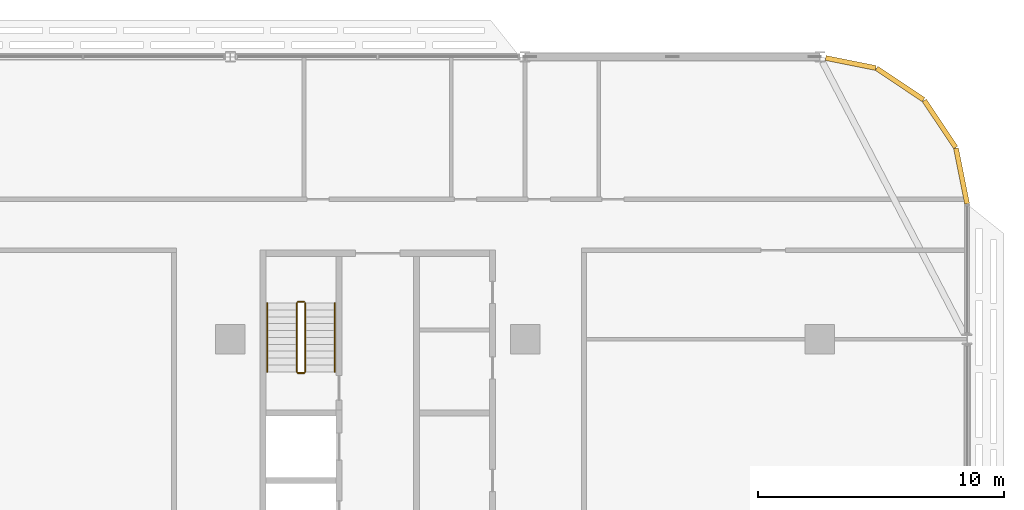
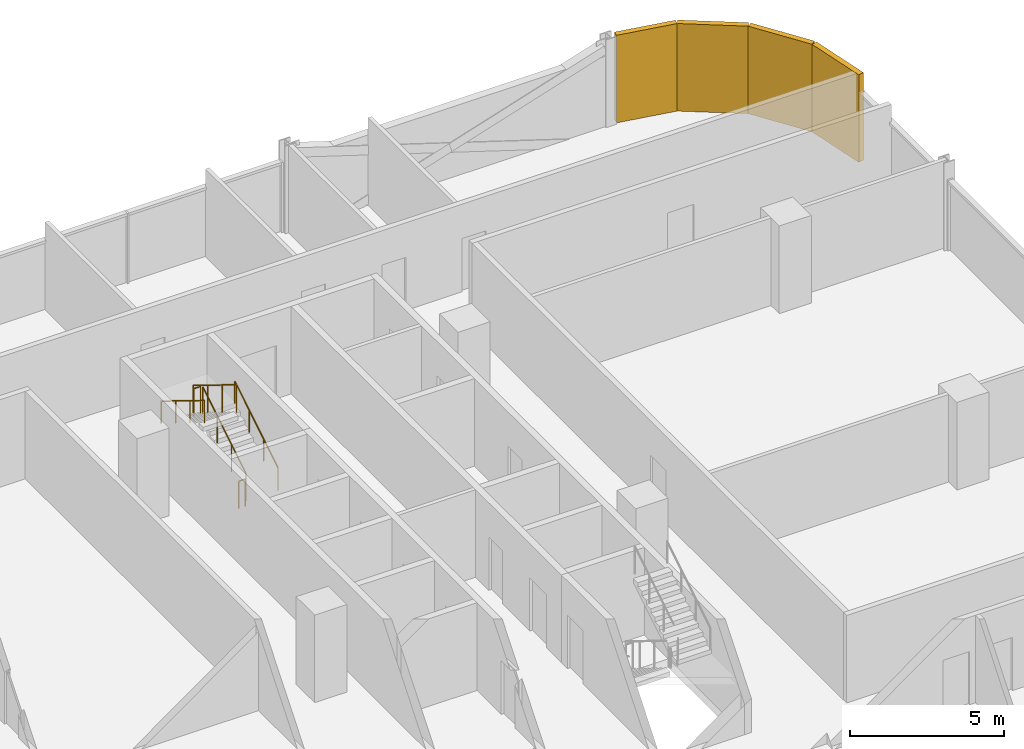
# One storey, part 27 of 27: 6 railings, 4 coverings.
"""IFC4 building model written with IfcOpenShell, lengths in metres."""

from ifc_helpers import new_model, si_unit, direction, frame, origin, origin_2d, place, context, subcontext, project, spatial, rectangle, circle, extrude, material, layer, layer_set, type_object, element, save


model = new_model("IFC4")

# Units and contexts
model_context = context("Model", 3, precision=1e-05, world=origin(), true_north=direction((0.0, 1.0)))
body_context = subcontext(model_context, "Body", "Model", "MODEL_VIEW")
ifc_project = project(units=[si_unit("LENGTHUNIT", "METRE"), si_unit("AREAUNIT", "SQUARE_METRE"), si_unit("VOLUMEUNIT", "CUBIC_METRE"), si_unit("PLANEANGLEUNIT", "RADIAN"), si_unit("MASSUNIT", "GRAM", prefix="KILO")], contexts=[model_context])

# Site, building, storey
site_placement = place(None, origin())
site = spatial("IfcSite", under=ifc_project, at=site_placement, CompositionType="ELEMENT")
building_placement = place(site_placement, origin())
building = spatial("IfcBuilding", under=site, at=building_placement, Name="Mahtab Terrace Research Tower", CompositionType="ELEMENT")
storey_placement = place(building_placement, frame((0.0, 0.0, 178.199951171875)))
storey = spatial("IfcBuildingStorey", under=building, at=storey_placement, Name="L42", CompositionType="ELEMENT", Elevation=178.199951171875)

# Coverings
ifc_material_1 = material(Name="Black aluminium cladding panel", Category="aluminium")
ifc_layer = layer(ifc_material_1, 0.199951171875)
ifc_layer_set = layer_set([ifc_layer], Name="Black metal corner cladding 200")
covering_type = type_object("IfcCoveringType", Name="Black metal corner cladding 200", PredefinedType="CLADDING", material=ifc_layer_set)
for number, where, z_axis, x_axis, name in (
    (1, (46.89306640625, 20.26953125, 0.0), (0.0, 0.0, 1.0), (-0.555291490808, 0.831655794326, 0.0), "Corner cladding L42 0"),
    (2, (45.26953125, 21.89306640625, 0.0), (0.0, 0.0, 1.0), (-0.831655794326, 0.555291490808, 0.0), "Corner cladding L42 1"),
):
    element("IfcCovering", number, at=place(storey_placement, frame(where, z_axis=z_axis, x_axis=x_axis)), inside=storey, type_object=covering_type, Name=name, PredefinedType="CLADDING", context=body_context, shape_type="SweptSolid", body=[
        extrude(rectangle(XDim=2.30126953125, YDim=0.199951171875, at=origin_2d()), origin(), (0.0, 0.0, 1.0), 3.4599609375),
    ])
covering_1_placement = place(storey_placement, frame((43.25830078125, 22.74951171875, 0.0), z_axis=(0.0, 0.0, 1.0), x_axis=(-0.980760981187, 0.195212442692, 0.0)))
element("IfcCovering", 3, at=covering_1_placement, inside=storey, type_object=covering_type, Name="Corner cladding L42 2", PredefinedType="CLADDING", context=body_context, shape_type="SweptSolid", body=[
    extrude(rectangle(XDim=2.07666015625, YDim=0.199951171875, at=origin_2d()), origin(), (0.0, 0.0, 1.0), 3.4599609375),
])
covering_2_placement = place(storey_placement, frame((47.771484375, 18.14794921875, 0.0), z_axis=(0.0, 0.0, 1.0), x_axis=(-0.195212442692, 0.980760981187, 0.0)))
element("IfcCovering", 4, at=covering_2_placement, inside=storey, type_object=covering_type, Name="Corner cladding L42 38", PredefinedType="CLADDING", context=body_context, shape_type="SweptSolid", body=[
    extrude(rectangle(XDim=2.30126953125, YDim=0.199951171875, at=origin_2d()), origin(), (0.0, 0.0, 1.0), 3.4599609375),
])

# Railings
ifc_material_2 = material(Name="Stainless steel AISI 304", Category="steel")
railing_type_1 = type_object("IfcRailingType", Name="Stair guard 1100", PredefinedType="GUARDRAIL", material=ifc_material_2)
railing_1_placement = place(storey_placement, frame((21.050048828125, 10.175048828125, 0.1728515625)))
element("IfcRailing", 5, at=railing_1_placement, inside=storey, type_object=railing_type_1, Name="L42 ST3 stair guard 1", PredefinedType="GUARDRAIL", context=body_context, shape_type="SweptSolid", body=[
    extrude(circle(Radius=0.02392578125, at=origin_2d()), frame((0.0, 0.0, 1.076171875), z_axis=(0.0, 0.851089632645, 0.525020415988), x_axis=(-1.0, 0.0, 0.0)), (0.0, 0.0, 1.0), 3.2900390625),
    extrude(circle(Radius=0.02099609375, at=origin_2d()), origin(), (0.0, 0.0, 1.0), 1.052001953125),
    extrude(circle(Radius=0.02099609375, at=origin_2d()), frame((0.0, 0.933349609375, 0.57568359375)), (0.0, 0.0, 1.0), 1.052001953125),
    extrude(circle(Radius=0.02099609375, at=origin_2d()), frame((0.0, 1.86669921875, 1.151611328125)), (0.0, 0.0, 1.0), 1.052001953125),
    extrude(circle(Radius=0.02099609375, at=origin_2d()), frame((0.0, 2.800048828125, 1.727294921875)), (0.0, 0.0, 1.0), 1.052001953125),
])
railing_2_placement = place(storey_placement, frame((21.0, 13.02490234375, 1.900146484375)))
element("IfcRailing", 6, at=railing_2_placement, inside=storey, type_object=railing_type_1, Name="L42 ST3 stair guard 2", PredefinedType="GUARDRAIL", context=body_context, shape_type="SweptSolid", body=[
    extrude(circle(Radius=0.02392578125, at=origin_2d()), frame((0.0, 0.0, 1.076171875), z_axis=(-1.0, 0.0, 0.0), x_axis=(0.0, -1.0, 0.0)), (0.0, 0.0, 1.0), 0.25),
    extrude(circle(Radius=0.02099609375, at=origin_2d()), origin(), (0.0, 0.0, 1.0), 1.052001953125),
    extrude(circle(Radius=0.02099609375, at=origin_2d()), frame((-0.25, 0.0, 0.0)), (0.0, 0.0, 1.0), 1.052001953125),
])
railing_3_placement = place(storey_placement, frame((20.699951171875, 12.97509765625, 2.07275390625)))
element("IfcRailing", 7, at=railing_3_placement, inside=storey, type_object=railing_type_1, Name="L42 ST3 stair guard 3", PredefinedType="GUARDRAIL", context=body_context, shape_type="SweptSolid", body=[
    extrude(circle(Radius=0.02392578125, at=origin_2d()), frame((0.0, 0.0, 1.076171875), z_axis=(0.0, -0.851089632645, 0.525020415988), x_axis=(1.0, 0.0, 0.0)), (0.0, 0.0, 1.0), 3.2900390625),
    extrude(circle(Radius=0.02099609375, at=origin_2d()), origin(), (0.0, 0.0, 1.0), 1.052001953125),
    extrude(circle(Radius=0.02099609375, at=origin_2d()), frame((0.0, -0.933349609375, 0.57568359375)), (0.0, 0.0, 1.0), 1.052001953125),
    extrude(circle(Radius=0.02099609375, at=origin_2d()), frame((0.0, -1.86669921875, 1.151611328125)), (0.0, 0.0, 1.0), 1.052001953125),
    extrude(circle(Radius=0.02099609375, at=origin_2d()), frame((0.0, -2.800048828125, 1.727294921875)), (0.0, 0.0, 1.0), 1.052001953125),
])
railing_4_placement = place(storey_placement, frame((21.0, 10.125, 0.0)))
element("IfcRailing", 8, at=railing_4_placement, inside=storey, type_object=railing_type_1, Name="L42 ST3 stair guard 4", PredefinedType="GUARDRAIL", context=body_context, shape_type="SweptSolid", body=[
    extrude(circle(Radius=0.02392578125, at=origin_2d()), frame((0.0, 0.0, 1.076171875), z_axis=(-1.0, 0.0, 0.0), x_axis=(0.0, -1.0, 0.0)), (0.0, 0.0, 1.0), 0.25),
    extrude(circle(Radius=0.02099609375, at=origin_2d()), origin(), (0.0, 0.0, 1.0), 1.052001953125),
    extrude(circle(Radius=0.02099609375, at=origin_2d()), frame((-0.25, 0.0, 0.0)), (0.0, 0.0, 1.0), 1.052001953125),
])
railing_type_2 = type_object("IfcRailingType", Name="Stair handrail 900", PredefinedType="HANDRAIL", material=ifc_material_2)
railing_5_placement = place(storey_placement, frame((22.25, 10.175048828125, 0.1728515625)))
element("IfcRailing", 9, at=railing_5_placement, inside=storey, type_object=railing_type_2, Name="L42 ST3 stair handrail 1", PredefinedType="HANDRAIL", context=body_context, shape_type="SweptSolid", body=[
    extrude(circle(Radius=0.02392578125, at=origin_2d()), frame((0.0, 0.0, 0.8759765625), z_axis=(0.0, 0.851089632645, 0.525020415988), x_axis=(-1.0, 0.0, 0.0)), (0.0, 0.0, 1.0), 3.2900390625),
    extrude(circle(Radius=0.02099609375, at=origin_2d()), origin(), (0.0, 0.0, 1.0), 0.851806640625),
    extrude(circle(Radius=0.02099609375, at=origin_2d()), frame((0.0, 0.933349609375, 0.57568359375)), (0.0, 0.0, 1.0), 0.851806640625),
    extrude(circle(Radius=0.02099609375, at=origin_2d()), frame((0.0, 1.86669921875, 1.151611328125)), (0.0, 0.0, 1.0), 0.851806640625),
    extrude(circle(Radius=0.02099609375, at=origin_2d()), frame((0.0, 2.800048828125, 1.727294921875)), (0.0, 0.0, 1.0), 0.851806640625),
])
railing_6_placement = place(storey_placement, frame((19.5, 12.97509765625, 2.07275390625)))
element("IfcRailing", 10, at=railing_6_placement, inside=storey, type_object=railing_type_2, Name="L42 ST3 stair handrail 2", PredefinedType="HANDRAIL", context=body_context, shape_type="SweptSolid", body=[
    extrude(circle(Radius=0.02392578125, at=origin_2d()), frame((0.0, 0.0, 0.8759765625), z_axis=(0.0, -0.851089632645, 0.525020415988), x_axis=(1.0, 0.0, 0.0)), (0.0, 0.0, 1.0), 3.2900390625),
    extrude(circle(Radius=0.02099609375, at=origin_2d()), origin(), (0.0, 0.0, 1.0), 0.851806640625),
    extrude(circle(Radius=0.02099609375, at=origin_2d()), frame((0.0, -0.933349609375, 0.57568359375)), (0.0, 0.0, 1.0), 0.851806640625),
    extrude(circle(Radius=0.02099609375, at=origin_2d()), frame((0.0, -1.86669921875, 1.151611328125)), (0.0, 0.0, 1.0), 0.851806640625),
    extrude(circle(Radius=0.02099609375, at=origin_2d()), frame((0.0, -2.800048828125, 1.727294921875)), (0.0, 0.0, 1.0), 0.851806640625),
])

save(model, "model.ifc")
